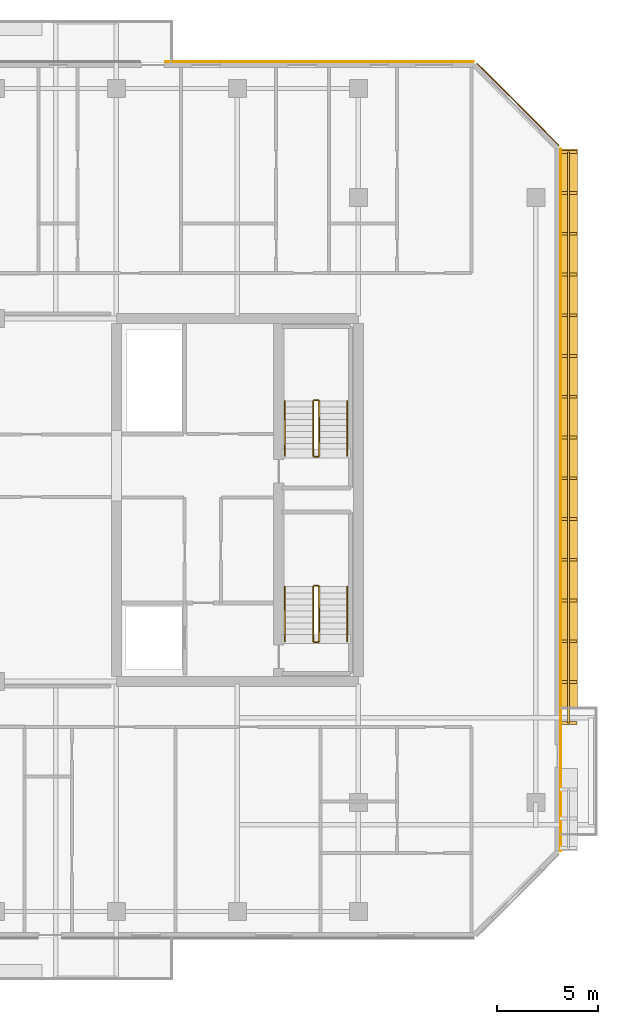
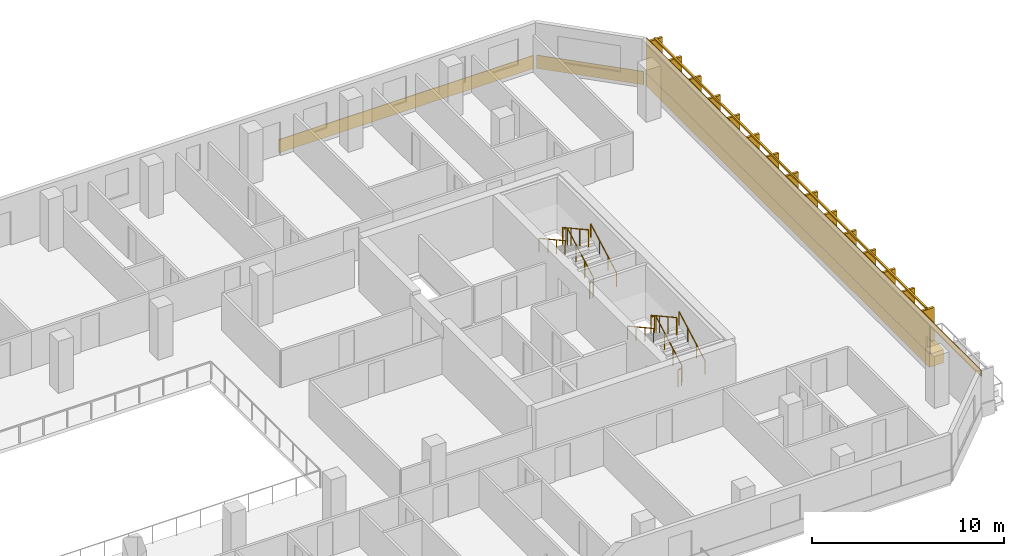
# One storey, part 19 of 19: 13 railings, 5 coverings.
"""IFC4 building model written with IfcOpenShell, lengths in metres."""

from ifc_helpers import new_model, si_unit, direction, frame, origin, origin_2d, place, context, subcontext, project, spatial, rectangle, extrude, material, layer, layer_set, type_object, element, save


model = new_model("IFC4")

# Units and contexts
model_context = context("Model", 3, precision=1e-05, world=origin(), true_north=direction((0.0, 1.0)))
body_context = subcontext(model_context, "Body", "Model", "MODEL_VIEW")
ifc_project = project(units=[si_unit("LENGTHUNIT", "METRE"), si_unit("AREAUNIT", "SQUARE_METRE"), si_unit("VOLUMEUNIT", "CUBIC_METRE"), si_unit("PLANEANGLEUNIT", "RADIAN"), si_unit("MASSUNIT", "GRAM", prefix="KILO")], contexts=[model_context])

# Site, building, storey
site_placement = place(None, origin())
site = spatial("IfcSite", under=ifc_project, at=site_placement, CompositionType="ELEMENT")
building_placement = place(site_placement, origin())
building = spatial("IfcBuilding", under=site, at=building_placement, Name="Tanjung Sevakor Pilgrim Tower", CompositionType="ELEMENT")
storey_placement = place(building_placement, frame((0.0, 0.0, 135.300048828125)))
storey = spatial("IfcBuildingStorey", under=building, at=storey_placement, Name="L37", CompositionType="ELEMENT", Elevation=135.300048828125)

# Coverings
ifc_material_1 = material(Name="Reconstructed Limestone Cladding", Category="masonry")
ifc_layer = layer(ifc_material_1, 0.044921875)
ifc_layer_set = layer_set([ifc_layer], Name="COV-CLAD-LIMESTONE")
covering_type = type_object("IfcCoveringType", Name="COV-CLAD-LIMESTONE", PredefinedType="CLADDING", material=ifc_layer_set)
covering_1_placement = place(storey_placement, frame((100.429931640625, 36.259033203125, 0.009765625), z_axis=(0.0, 0.0, 1.0), x_axis=(0.0, 1.0, 0.0)))
element("IfcCovering", 1, at=covering_1_placement, inside=storey, type_object=covering_type, Name="L37 Warm Limestone Sill Spandrel EW-L37-MAIN-7-2", PredefinedType="CLADDING", context=body_context, shape_type="SweptSolid", body=[
    extrude(rectangle(XDim=29.498291015625, YDim=0.860107421875, at=origin_2d()), origin(), (0.0, 0.0, 1.0), 0.840087890625),
])
covering_2_placement = place(storey_placement, frame((100.0224609375, 33.60009765625, 2.66015625), z_axis=(0.0, 0.0, 1.0), x_axis=(0.0, 1.0, 0.0)))
element("IfcCovering", 2, at=covering_2_placement, inside=storey, type_object=covering_type, Name="L37 Warm Limestone Cornice Spandrel EW-L37-MAIN-7", PredefinedType="CLADDING", context=body_context, shape_type="SweptSolid", body=[
    extrude(rectangle(XDim=34.8564453125, YDim=0.044921875, at=origin_2d()), origin(), (0.0, 0.0, 1.0), 0.409912109375),
])
covering_3_placement = place(storey_placement, frame((100.0224609375, 36.254150390625, 0.849853515625), z_axis=(0.0, 0.0, 1.0), x_axis=(0.0, 1.0, 0.0)))
element("IfcCovering", 3, at=covering_3_placement, inside=storey, type_object=covering_type, Name="L37 Warm Limestone Pier Panel EW-L37-MAIN-7-1", PredefinedType="CLADDING", context=body_context, shape_type="SweptSolid", body=[
    extrude(rectangle(XDim=29.50830078125, YDim=0.044921875, at=origin_2d()), origin(), (0.0, 0.0, 1.0), 1.81005859375),
])
covering_4_placement = place(storey_placement, frame((97.916015625, 53.2158203125, 0.009765625), z_axis=(0.0, 0.0, 1.0), x_axis=(-0.707106781187, 0.707106781187, 0.0)))
element("IfcCovering", 4, at=covering_4_placement, inside=storey, type_object=covering_type, Name="L37 Warm Limestone Sill Spandrel EW-CHM-L37-MAIN-7-1", PredefinedType="CLADDING", context=body_context, shape_type="SweptSolid", body=[
    extrude(rectangle(XDim=5.756103515625, YDim=0.044921875, at=origin_2d()), origin(), (0.0, 0.0, 1.0), 0.840087890625),
])
covering_5_placement = place(storey_placement, frame((88.05908203125, 55.322509765625, 0.009765625), z_axis=(0.0, 0.0, 1.0), x_axis=(-1.0, 0.0, 0.0)))
element("IfcCovering", 5, at=covering_5_placement, inside=storey, type_object=covering_type, Name="L37 Warm Limestone Sill Spandrel EW-L37-MAIN-9-1", PredefinedType="CLADDING", context=body_context, shape_type="SweptSolid", body=[
    extrude(rectangle(XDim=15.298095703125, YDim=0.044921875, at=origin_2d()), origin(), (0.0, 0.0, 1.0), 0.840087890625),
])

# Railings
ifc_material_2 = material(Name="Anodised Bronze Aluminium 6063-T6", Category="aluminium")
railing_type_1 = type_object("IfcRailingType", Name="RL-FIN-SCREEN", PredefinedType="BALUSTRADE", material=ifc_material_2)
railing_1_placement = place(storey_placement, frame((100.425048828125, 22.550048828125, 0.83984375)))
element("IfcRailing", 6, at=railing_1_placement, inside=storey, type_object=railing_type_1, Name="L37 Vertical Bronze-Gold Solar Fin Screen FNEND-EW-L37-MAIN-7-2", PredefinedType="BALUSTRADE", context=body_context, shape_type="SweptSolid", body=[
    extrude(rectangle(XDim=0.105, YDim=0.105), frame((0.0, 0.0, 2.157470703125), z_axis=(0.0, 1.0, 0.0), x_axis=(-1.0, 0.0, 0.0)), (0.0, 0.0, 1.0), 28.298095703125),
    extrude(rectangle(XDim=0.85, YDim=0.14), origin(), (0.0, 0.0, 1.0), 2.10498046875),
    extrude(rectangle(XDim=0.85, YDim=0.14), frame((0.0, 2.021240234375, 0.0)), (0.0, 0.0, 1.0), 2.10498046875),
    extrude(rectangle(XDim=0.85, YDim=0.14), frame((0.0, 4.04248046875, 0.0)), (0.0, 0.0, 1.0), 2.10498046875),
    extrude(rectangle(XDim=0.85, YDim=0.14), frame((0.0, 6.06396484375, 0.0)), (0.0, 0.0, 1.0), 2.10498046875),
    extrude(rectangle(XDim=0.85, YDim=0.14), frame((0.0, 8.085205078125, 0.0)), (0.0, 0.0, 1.0), 2.10498046875),
    extrude(rectangle(XDim=0.85, YDim=0.14), frame((0.0, 10.1064453125, 0.0)), (0.0, 0.0, 1.0), 2.10498046875),
    extrude(rectangle(XDim=0.85, YDim=0.14), frame((0.0, 12.127685546875, 0.0)), (0.0, 0.0, 1.0), 2.10498046875),
    extrude(rectangle(XDim=0.85, YDim=0.14), frame((0.0, 14.14892578125, 0.0)), (0.0, 0.0, 1.0), 2.10498046875),
    extrude(rectangle(XDim=0.85, YDim=0.14), frame((0.0, 16.17041015625, 0.0)), (0.0, 0.0, 1.0), 2.10498046875),
    extrude(rectangle(XDim=0.85, YDim=0.14), frame((0.0, 18.191650390625, 0.0)), (0.0, 0.0, 1.0), 2.10498046875),
    extrude(rectangle(XDim=0.85, YDim=0.14), frame((0.0, 20.212890625, 0.0)), (0.0, 0.0, 1.0), 2.10498046875),
    extrude(rectangle(XDim=0.85, YDim=0.14), frame((0.0, 22.234130859375, 0.0)), (0.0, 0.0, 1.0), 2.10498046875),
    extrude(rectangle(XDim=0.85, YDim=0.14), frame((0.0, 24.255615234375, 0.0)), (0.0, 0.0, 1.0), 2.10498046875),
    extrude(rectangle(XDim=0.85, YDim=0.14), frame((0.0, 26.27685546875, 0.0)), (0.0, 0.0, 1.0), 2.10498046875),
    extrude(rectangle(XDim=0.85, YDim=0.14), frame((0.0, 28.298095703125, 0.0)), (0.0, 0.0, 1.0), 2.10498046875),
])
ifc_material_3 = material(Name="Steel S355J2", Category="steel")
railing_type_2 = type_object("IfcRailingType", Name="RL-STAIR-GUARD", PredefinedType="GUARDRAIL", material=ifc_material_3)
railing_2_placement = place(storey_placement, frame((88.050048828125, 26.60009765625, 0.1650390625)))
element("IfcRailing", 7, at=railing_2_placement, inside=storey, type_object=railing_type_2, Name="L37 TS-E1 stair guard 1", PredefinedType="GUARDRAIL", context=body_context, shape_type="SweptSolid", body=[
    extrude(rectangle(XDim=0.0479, YDim=0.0479), frame((0.0, 0.0, 1.076171875), z_axis=(0.0, 0.876230963923, 0.481891375584), x_axis=(-1.0, 0.0, 0.0)), (0.0, 0.0, 1.0), 3.081298828125),
    extrude(rectangle(XDim=0.042, YDim=0.042), origin(), (0.0, 0.0, 1.0), 1.052001953125),
    extrude(rectangle(XDim=0.042, YDim=0.042), frame((0.0, 0.89990234375, 0.494873046875)), (0.0, 0.0, 1.0), 1.052001953125),
    extrude(rectangle(XDim=0.042, YDim=0.042), frame((0.0, 1.800048828125, 0.989990234375)), (0.0, 0.0, 1.0), 1.052001953125),
    extrude(rectangle(XDim=0.042, YDim=0.042), frame((0.0, 2.699951171875, 1.48486328125)), (0.0, 0.0, 1.0), 1.052001953125),
])
railing_3_placement = place(storey_placement, frame((88.0, 29.35009765625, 1.64990234375)))
element("IfcRailing", 8, at=railing_3_placement, inside=storey, type_object=railing_type_2, Name="L37 TS-E1 stair guard 2", PredefinedType="GUARDRAIL", context=body_context, shape_type="SweptSolid", body=[
    extrude(rectangle(XDim=0.0479, YDim=0.0479), frame((0.0, 0.0, 1.076171875), z_axis=(-1.0, 0.0, 0.0), x_axis=(0.0, -1.0, 0.0)), (0.0, 0.0, 1.0), 0.199951171875),
    extrude(rectangle(XDim=0.042, YDim=0.042), origin(), (0.0, 0.0, 1.0), 1.052001953125),
    extrude(rectangle(XDim=0.042, YDim=0.042), frame((-0.199951171875, 0.0, 0.0)), (0.0, 0.0, 1.0), 1.052001953125),
])
railing_4_placement = place(storey_placement, frame((87.75, 29.300048828125, 1.81494140625)))
element("IfcRailing", 9, at=railing_4_placement, inside=storey, type_object=railing_type_2, Name="L37 TS-E1 stair guard 3", PredefinedType="GUARDRAIL", context=body_context, shape_type="SweptSolid", body=[
    extrude(rectangle(XDim=0.0479, YDim=0.0479), frame((0.0, 0.0, 1.076171875), z_axis=(0.0, -0.876197507361, 0.481952205197), x_axis=(1.0, 0.0, 0.0)), (0.0, 0.0, 1.0), 3.08154296875),
    extrude(rectangle(XDim=0.042, YDim=0.042), origin(), (0.0, 0.0, 1.0), 1.052001953125),
    extrude(rectangle(XDim=0.042, YDim=0.042), frame((0.0, -0.89990234375, 0.4951171875)), (0.0, 0.0, 1.0), 1.052001953125),
    extrude(rectangle(XDim=0.042, YDim=0.042), frame((0.0, -1.800048828125, 0.989990234375)), (0.0, 0.0, 1.0), 1.052001953125),
    extrude(rectangle(XDim=0.042, YDim=0.042), frame((0.0, -2.699951171875, 1.485107421875)), (0.0, 0.0, 1.0), 1.052001953125),
])
railing_5_placement = place(storey_placement, frame((88.0, 26.550048828125, 0.0)))
element("IfcRailing", 10, at=railing_5_placement, inside=storey, type_object=railing_type_2, Name="L37 TS-E1 stair guard 4", PredefinedType="GUARDRAIL", context=body_context, shape_type="SweptSolid", body=[
    extrude(rectangle(XDim=0.0479, YDim=0.0479), frame((0.0, 0.0, 1.076171875), z_axis=(-1.0, 0.0, 0.0), x_axis=(0.0, -1.0, 0.0)), (0.0, 0.0, 1.0), 0.199951171875),
    extrude(rectangle(XDim=0.042, YDim=0.042), origin(), (0.0, 0.0, 1.0), 1.052001953125),
    extrude(rectangle(XDim=0.042, YDim=0.042), frame((-0.199951171875, 0.0, 0.0)), (0.0, 0.0, 1.0), 1.052001953125),
])
railing_6_placement = place(storey_placement, frame((88.050048828125, 35.800048828125, 0.1650390625)))
element("IfcRailing", 11, at=railing_6_placement, inside=storey, type_object=railing_type_2, Name="L37 TS-E2 stair guard 1", PredefinedType="GUARDRAIL", context=body_context, shape_type="SweptSolid", body=[
    extrude(rectangle(XDim=0.0479, YDim=0.0479), frame((0.0, 0.0, 1.076171875), z_axis=(0.0, 0.876230963923, 0.481891375584), x_axis=(-1.0, 0.0, 0.0)), (0.0, 0.0, 1.0), 3.081298828125),
    extrude(rectangle(XDim=0.042, YDim=0.042), origin(), (0.0, 0.0, 1.0), 1.052001953125),
    extrude(rectangle(XDim=0.042, YDim=0.042), frame((0.0, 0.89990234375, 0.494873046875)), (0.0, 0.0, 1.0), 1.052001953125),
    extrude(rectangle(XDim=0.042, YDim=0.042), frame((0.0, 1.800048828125, 0.989990234375)), (0.0, 0.0, 1.0), 1.052001953125),
    extrude(rectangle(XDim=0.042, YDim=0.042), frame((0.0, 2.699951171875, 1.48486328125)), (0.0, 0.0, 1.0), 1.052001953125),
])
railing_7_placement = place(storey_placement, frame((88.0, 38.550048828125, 1.64990234375)))
element("IfcRailing", 12, at=railing_7_placement, inside=storey, type_object=railing_type_2, Name="L37 TS-E2 stair guard 2", PredefinedType="GUARDRAIL", context=body_context, shape_type="SweptSolid", body=[
    extrude(rectangle(XDim=0.0479, YDim=0.0479), frame((0.0, 0.0, 1.076171875), z_axis=(-1.0, 0.0, 0.0), x_axis=(0.0, -1.0, 0.0)), (0.0, 0.0, 1.0), 0.199951171875),
    extrude(rectangle(XDim=0.042, YDim=0.042), origin(), (0.0, 0.0, 1.0), 1.052001953125),
    extrude(rectangle(XDim=0.042, YDim=0.042), frame((-0.199951171875, 0.0, 0.0)), (0.0, 0.0, 1.0), 1.052001953125),
])
railing_8_placement = place(storey_placement, frame((87.75, 38.5, 1.81494140625)))
element("IfcRailing", 13, at=railing_8_placement, inside=storey, type_object=railing_type_2, Name="L37 TS-E2 stair guard 3", PredefinedType="GUARDRAIL", context=body_context, shape_type="SweptSolid", body=[
    extrude(rectangle(XDim=0.0479, YDim=0.0479), frame((0.0, 0.0, 1.076171875), z_axis=(0.0, -0.876197507361, 0.481952205197), x_axis=(1.0, 0.0, 0.0)), (0.0, 0.0, 1.0), 3.08154296875),
    extrude(rectangle(XDim=0.042, YDim=0.042), origin(), (0.0, 0.0, 1.0), 1.052001953125),
    extrude(rectangle(XDim=0.042, YDim=0.042), frame((0.0, -0.89990234375, 0.4951171875)), (0.0, 0.0, 1.0), 1.052001953125),
    extrude(rectangle(XDim=0.042, YDim=0.042), frame((0.0, -1.800048828125, 0.989990234375)), (0.0, 0.0, 1.0), 1.052001953125),
    extrude(rectangle(XDim=0.042, YDim=0.042), frame((0.0, -2.699951171875, 1.485107421875)), (0.0, 0.0, 1.0), 1.052001953125),
])
railing_9_placement = place(storey_placement, frame((88.0, 35.75, 0.0)))
element("IfcRailing", 14, at=railing_9_placement, inside=storey, type_object=railing_type_2, Name="L37 TS-E2 stair guard 4", PredefinedType="GUARDRAIL", context=body_context, shape_type="SweptSolid", body=[
    extrude(rectangle(XDim=0.0479, YDim=0.0479), frame((0.0, 0.0, 1.076171875), z_axis=(-1.0, 0.0, 0.0), x_axis=(0.0, -1.0, 0.0)), (0.0, 0.0, 1.0), 0.199951171875),
    extrude(rectangle(XDim=0.042, YDim=0.042), origin(), (0.0, 0.0, 1.0), 1.052001953125),
    extrude(rectangle(XDim=0.042, YDim=0.042), frame((-0.199951171875, 0.0, 0.0)), (0.0, 0.0, 1.0), 1.052001953125),
])
ifc_material_4 = material(Name="Steel S355J2", Category="steel")
railing_type_3 = type_object("IfcRailingType", Name="RL-STAIR-HAND", PredefinedType="HANDRAIL", material=ifc_material_4)
railing_10_placement = place(storey_placement, frame((89.449951171875, 26.60009765625, 0.1650390625)))
element("IfcRailing", 15, at=railing_10_placement, inside=storey, type_object=railing_type_3, Name="L37 TS-E1 stair handrail 1", PredefinedType="HANDRAIL", context=body_context, shape_type="SweptSolid", body=[
    extrude(rectangle(XDim=0.0479, YDim=0.0479), frame((0.0, 0.0, 0.8759765625), z_axis=(0.0, 0.876230963923, 0.481891375584), x_axis=(-1.0, 0.0, 0.0)), (0.0, 0.0, 1.0), 3.081298828125),
    extrude(rectangle(XDim=0.042, YDim=0.042), origin(), (0.0, 0.0, 1.0), 0.851806640625),
    extrude(rectangle(XDim=0.042, YDim=0.042), frame((0.0, 0.89990234375, 0.494873046875)), (0.0, 0.0, 1.0), 0.851806640625),
    extrude(rectangle(XDim=0.042, YDim=0.042), frame((0.0, 1.800048828125, 0.989990234375)), (0.0, 0.0, 1.0), 0.851806640625),
    extrude(rectangle(XDim=0.042, YDim=0.042), frame((0.0, 2.699951171875, 1.48486328125)), (0.0, 0.0, 1.0), 0.851806640625),
])
railing_11_placement = place(storey_placement, frame((86.35009765625, 29.300048828125, 1.81494140625)))
element("IfcRailing", 16, at=railing_11_placement, inside=storey, type_object=railing_type_3, Name="L37 TS-E1 stair handrail 2", PredefinedType="HANDRAIL", context=body_context, shape_type="SweptSolid", body=[
    extrude(rectangle(XDim=0.0479, YDim=0.0479), frame((0.0, 0.0, 0.8759765625), z_axis=(0.0, -0.876197507361, 0.481952205197), x_axis=(1.0, 0.0, 0.0)), (0.0, 0.0, 1.0), 3.08154296875),
    extrude(rectangle(XDim=0.042, YDim=0.042), origin(), (0.0, 0.0, 1.0), 0.851806640625),
    extrude(rectangle(XDim=0.042, YDim=0.042), frame((0.0, -0.89990234375, 0.4951171875)), (0.0, 0.0, 1.0), 0.851806640625),
    extrude(rectangle(XDim=0.042, YDim=0.042), frame((0.0, -1.800048828125, 0.989990234375)), (0.0, 0.0, 1.0), 0.851806640625),
    extrude(rectangle(XDim=0.042, YDim=0.042), frame((0.0, -2.699951171875, 1.485107421875)), (0.0, 0.0, 1.0), 0.851806640625),
])
railing_12_placement = place(storey_placement, frame((89.449951171875, 35.800048828125, 0.1650390625)))
element("IfcRailing", 17, at=railing_12_placement, inside=storey, type_object=railing_type_3, Name="L37 TS-E2 stair handrail 1", PredefinedType="HANDRAIL", context=body_context, shape_type="SweptSolid", body=[
    extrude(rectangle(XDim=0.0479, YDim=0.0479), frame((0.0, 0.0, 0.8759765625), z_axis=(0.0, 0.876230963923, 0.481891375584), x_axis=(-1.0, 0.0, 0.0)), (0.0, 0.0, 1.0), 3.081298828125),
    extrude(rectangle(XDim=0.042, YDim=0.042), origin(), (0.0, 0.0, 1.0), 0.851806640625),
    extrude(rectangle(XDim=0.042, YDim=0.042), frame((0.0, 0.89990234375, 0.494873046875)), (0.0, 0.0, 1.0), 0.851806640625),
    extrude(rectangle(XDim=0.042, YDim=0.042), frame((0.0, 1.800048828125, 0.989990234375)), (0.0, 0.0, 1.0), 0.851806640625),
    extrude(rectangle(XDim=0.042, YDim=0.042), frame((0.0, 2.699951171875, 1.48486328125)), (0.0, 0.0, 1.0), 0.851806640625),
])
railing_13_placement = place(storey_placement, frame((86.35009765625, 38.5, 1.81494140625)))
element("IfcRailing", 18, at=railing_13_placement, inside=storey, type_object=railing_type_3, Name="L37 TS-E2 stair handrail 2", PredefinedType="HANDRAIL", context=body_context, shape_type="SweptSolid", body=[
    extrude(rectangle(XDim=0.0479, YDim=0.0479), frame((0.0, 0.0, 0.8759765625), z_axis=(0.0, -0.876197507361, 0.481952205197), x_axis=(1.0, 0.0, 0.0)), (0.0, 0.0, 1.0), 3.08154296875),
    extrude(rectangle(XDim=0.042, YDim=0.042), origin(), (0.0, 0.0, 1.0), 0.851806640625),
    extrude(rectangle(XDim=0.042, YDim=0.042), frame((0.0, -0.89990234375, 0.4951171875)), (0.0, 0.0, 1.0), 0.851806640625),
    extrude(rectangle(XDim=0.042, YDim=0.042), frame((0.0, -1.800048828125, 0.989990234375)), (0.0, 0.0, 1.0), 0.851806640625),
    extrude(rectangle(XDim=0.042, YDim=0.042), frame((0.0, -2.699951171875, 1.485107421875)), (0.0, 0.0, 1.0), 0.851806640625),
])

save(model, "model.ifc")
